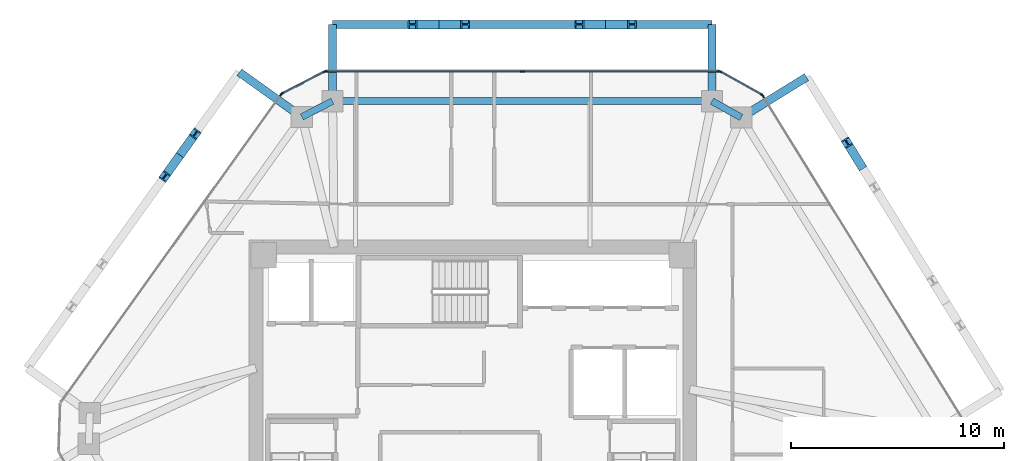
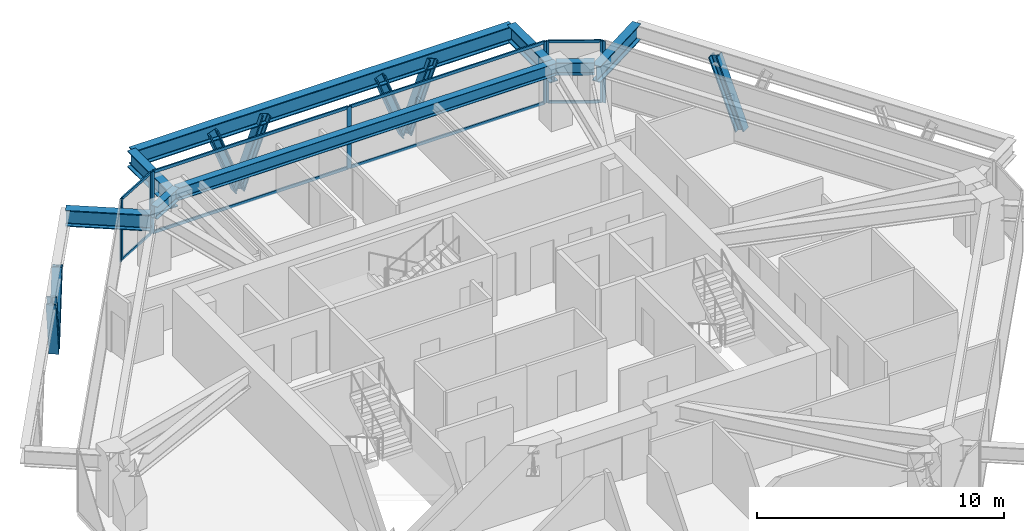
# One storey, part 6 of 11: 24 members, 8 beams, 5 elements without a shape of their own.
"""IFC4 building model written with IfcOpenShell, lengths in metres."""

from ifc_helpers import new_model, si_unit, direction, frame, origin, origin_2d, place, context, subcontext, project, spatial, rectangle, i_section, extrude, source, transform, mapped, material, layer, layer_set, material_profile, profile_set, type_object, type_shapes, element, aggregate, save


model = new_model("IFC4")

# Units and contexts
model_context = context("Model", 3, precision=1e-05, world=origin(), true_north=direction((0.0, 1.0)))
body_context = subcontext(model_context, "Body", "Model", "MODEL_VIEW")
ifc_project = project(units=[si_unit("LENGTHUNIT", "METRE"), si_unit("AREAUNIT", "SQUARE_METRE"), si_unit("VOLUMEUNIT", "CUBIC_METRE"), si_unit("PLANEANGLEUNIT", "RADIAN"), si_unit("MASSUNIT", "GRAM", prefix="KILO")], contexts=[model_context])

# Site, building, storey
site_placement = place(None, origin())
site = spatial("IfcSite", under=ifc_project, at=site_placement, CompositionType="ELEMENT")
building_placement = place(site_placement, origin())
building = spatial("IfcBuilding", under=site, at=building_placement, Name="Durnholm Broadcast Tower", CompositionType="ELEMENT")
storey_placement = place(building_placement, frame((0.0, 0.0, 183.699951171875)))
storey = spatial("IfcBuildingStorey", under=building, at=storey_placement, Name="L50", CompositionType="ELEMENT", Elevation=183.699951171875)

# Beams
ifc_material_1 = material(Name="Steel ASTM A992 Grade 50", Category="steel")
ifc_material_profile_1 = material_profile(ifc_material_1, i_section(OverallWidth=0.385009765625, OverallDepth=0.802978515625, WebThickness=0.023681640625, FlangeThickness=0.0419921875, FilletRadius=0.032958984375, at=origin_2d()), Name="W30X261")
ifc_profile_set_1 = profile_set([ifc_material_profile_1], Name="Steel ASTM A992 Grade 50")
beam_type_1 = type_object("IfcBeamType", Name="BM-EXO-TIE", PredefinedType="USERDEFINED", material=ifc_profile_set_1)
shared_shape_1 = source(origin(), body_context, "Body", "SweptSolid", [
    extrude(i_section(OverallWidth=0.385009765625, OverallDepth=0.802978515625, WebThickness=0.023681640625, FlangeThickness=0.0419921875, FilletRadius=0.032958984375, at=origin_2d()), origin(), (0.0, 0.0, 1.0), 3.4560546875),
])
for number, where, z_axis, x_axis, name in (
    (1, (12.713134765625, 14.327880859375, 2.30859375), (0.850662348375, 0.525712439512, 0.0), (-0.525712439512, 0.850662348375, 0.0), "L50 exoskeleton stand-off tie bracket F3.2"),
    (2, (-8.138916015625, 14.360107421875, 2.30859375), (-0.813079048773, 0.582153296346, 0.0), (-0.582153296346, -0.813079048773, 0.0), "L50 exoskeleton stand-off tie bracket F5.1"),
):
    element("IfcBeam", number, at=place(storey_placement, frame(where, z_axis=z_axis, x_axis=x_axis)), inside=storey, type_object=beam_type_1, Name=name, ObjectType="GIRDER", PredefinedType="USERDEFINED", context=body_context, shape_type="MappedRepresentation", body=[
        mapped(shared_shape_1, transform((0.0, 0.0, 0.0), x_axis=(1.0, 0.0, 0.0), y_axis=(0.0, 1.0, 0.0), z_axis=(0.0, 0.0, 1.0), scale=1.0)),
    ])
shared_shape_2 = source(origin(), body_context, "Body", "SweptSolid", [
    extrude(i_section(OverallWidth=0.385009765625, OverallDepth=0.802978515625, WebThickness=0.023681640625, FlangeThickness=0.0419921875, FilletRadius=0.032958984375, at=origin_2d()), origin(), (0.0, 0.0, 1.0), 3.455810546875),
])
for number, where, z_axis, x_axis, name in (
    (3, (11.217529296875, 15.162109375, 2.30859375), (0.0, 1.0, 0.0), (-1.0, 0.0, 0.0), "L50 exoskeleton stand-off tie bracket F4.1"),
    (4, (-6.57861328125, 15.162109375, 2.30859375), (0.0, 1.0, 0.0), (-1.0, 0.0, 0.0), "L50 exoskeleton stand-off tie bracket F4.2"),
):
    element("IfcBeam", number, at=place(storey_placement, frame(where, z_axis=z_axis, x_axis=x_axis)), inside=storey, type_object=beam_type_1, Name=name, ObjectType="GIRDER", PredefinedType="USERDEFINED", context=body_context, shape_type="MappedRepresentation", body=[
        mapped(shared_shape_2, transform((0.0, 0.0, 0.0), x_axis=(1.0, 0.0, 0.0), y_axis=(0.0, 1.0, 0.0), z_axis=(0.0, 0.0, 1.0), scale=1.0)),
    ])
ifc_material_profile_2 = material_profile(ifc_material_1, i_section(OverallWidth=0.3251953125, OverallDepth=0.6162109375, WebThickness=0.013916015625, FlangeThickness=0.021484375, FilletRadius=0.02783203125, at=origin_2d()), Name="W24X117")
ifc_profile_set_2 = profile_set([ifc_material_profile_2], Name="Steel ASTM A992 Grade 50")
beam_type_2 = type_object("IfcBeamType", Name="STL-SP-W24X117", PredefinedType="SPANDREL", material=ifc_profile_set_2)
shared_shape_3 = source(origin(), body_context, "Body", "SweptSolid", [
    extrude(i_section(OverallWidth=0.3251953125, OverallDepth=0.6162109375, WebThickness=0.013916015625, FlangeThickness=0.021484375, FilletRadius=0.02783203125, at=origin_2d()), origin(), (0.0, 0.0, 1.0), 1.62255859375),
])
beam_1_placement = place(storey_placement, frame((-8.021728515625, 14.2763671875, 2.737060546875), z_axis=(0.889406668864, 0.45711680934, 0.0), x_axis=(-0.45711680934, 0.889406668864, 0.0)))
element("IfcBeam", 5, at=beam_1_placement, inside=storey, type_object=beam_type_2, Name="L50 perimeter spandrel girder 04", PredefinedType="SPANDREL", context=body_context, shape_type="MappedRepresentation", body=[
    mapped(shared_shape_3, transform((0.0, 0.0, 0.0), x_axis=(1.0, 0.0, 0.0), y_axis=(0.0, 1.0, 0.0), z_axis=(0.0, 0.0, 1.0), scale=1.0)),
])
shared_shape_4 = source(origin(), body_context, "Body", "SweptSolid", [
    extrude(i_section(OverallWidth=0.3251953125, OverallDepth=0.6162109375, WebThickness=0.013916015625, FlangeThickness=0.021484375, FilletRadius=0.02783203125, at=origin_2d()), origin(), (0.0, 0.0, 1.0), 17.796142578125),
])
beam_2_placement = place(storey_placement, frame((-6.57861328125, 15.01806640625, 2.737060546875), z_axis=(1.0, 0.0, 0.0), x_axis=(0.0, 1.0, 0.0)))
element("IfcBeam", 6, at=beam_2_placement, inside=storey, type_object=beam_type_2, Name="L50 perimeter spandrel girder 05", PredefinedType="SPANDREL", context=body_context, shape_type="MappedRepresentation", body=[
    mapped(shared_shape_4, transform((0.0, 0.0, 0.0), x_axis=(1.0, 0.0, 0.0), y_axis=(0.0, 1.0, 0.0), z_axis=(0.0, 0.0, 1.0), scale=1.0)),
])
shared_shape_5 = source(origin(), body_context, "Body", "SweptSolid", [
    extrude(i_section(OverallWidth=0.3251953125, OverallDepth=0.6162109375, WebThickness=0.013916015625, FlangeThickness=0.021484375, FilletRadius=0.02783203125, at=origin_2d()), origin(), (0.0, 0.0, 1.0), 1.572509765625),
])
type_shapes(beam_type_2, [shared_shape_3, shared_shape_4, shared_shape_5])
beam_3_placement = place(storey_placement, frame((11.217529296875, 15.01806640625, 2.737060546875), z_axis=(0.873365144476, -0.487066037017, 0.0), x_axis=(0.487066037017, 0.873365144476, 0.0)))
element("IfcBeam", 7, at=beam_3_placement, inside=storey, type_object=beam_type_2, Name="L50 perimeter spandrel girder 06", PredefinedType="SPANDREL", context=body_context, shape_type="MappedRepresentation", body=[
    mapped(shared_shape_5, transform((0.0, 0.0, 0.0), x_axis=(1.0, 0.0, 0.0), y_axis=(0.0, 1.0, 0.0), z_axis=(0.0, 0.0, 1.0), scale=1.0)),
])
shared_shape_6 = source(origin(), body_context, "Body", "SweptSolid", [
    extrude(i_section(OverallWidth=0.385009765625, OverallDepth=0.802978515625, WebThickness=0.023681640625, FlangeThickness=0.0419921875, FilletRadius=0.032958984375, at=origin_2d()), origin(), (0.0, 0.0, 1.0), 17.796142578125),
])
type_shapes(beam_type_1, [shared_shape_1, shared_shape_2, shared_shape_6])
beam_4_placement = place(storey_placement, frame((11.217529296875, 18.617919921875, 2.30859375), z_axis=(-1.0, 0.0, 0.0), x_axis=(0.0, -1.0, 0.0)))
element("IfcBeam", 8, at=beam_4_placement, inside=storey, type_object=beam_type_1, Name="L50 exoskeleton collector spandrel F4", PredefinedType="SPANDREL", context=body_context, shape_type="MappedRepresentation", body=[
    mapped(shared_shape_6, transform((0.0, 0.0, 0.0), x_axis=(1.0, 0.0, 0.0), y_axis=(0.0, 1.0, 0.0), z_axis=(0.0, 0.0, 1.0), scale=1.0)),
])

# Members
ifc_material_2 = material(Name="Steel ASTM A913 Grade 65", Category="steel")
ifc_material_profile_3 = material_profile(ifc_material_2, i_section(OverallWidth=0.412109375, OverallDepth=0.434814453125, WebThickness=0.035888671875, FlangeThickness=0.057373046875, FilletRadius=0.030517578125, at=origin_2d()), Name="W14X311")
ifc_profile_set_3 = profile_set([ifc_material_profile_3], Name="Steel ASTM A913 Grade 65")
member_type_1 = type_object("IfcMemberType", Name="STL-DG-W14X311", PredefinedType="BRACE", material=ifc_profile_set_3)
shared_shape_7 = source(origin(), body_context, "Body", "SweptSolid", [
    extrude(i_section(OverallWidth=0.412109375, OverallDepth=0.434814453125, WebThickness=0.035888671875, FlangeThickness=0.057373046875, FilletRadius=0.030517578125, at=origin_2d()), origin(), (0.0, 0.0, 1.0), 3.523193359375),
])
type_shapes(member_type_1, [shared_shape_7])
for number, where, z_axis, x_axis, name in (
    (9, (18.2001953125, 12.023193359375, -0.991455078125), (-0.184115236318, 0.297965945114, 0.936652483746), (-0.850699125742, -0.525652924906, 0.0), "L50 stand-off diagrid brace F3.D2.2"),
    (10, (6.234619140625, 18.617919921875, -0.991455078125), (0.350219588454, 0.0, 0.936667625075), (0.0, 1.0, 0.0), "L50 stand-off diagrid brace F4.D1.1"),
    (11, (6.234619140625, 18.617919921875, -0.991455078125), (-0.350219588454, 0.0, 0.936667625075), (0.0, -1.0, 0.0), "L50 stand-off diagrid brace F4.D1.2"),
    (12, (-1.595703125, 18.617919921875, -0.991455078125), (0.350219588454, 0.0, 0.936667625075), (0.0, 1.0, 0.0), "L50 stand-off diagrid brace F4.D2.1"),
    (13, (-1.595703125, 18.617919921875, -0.991455078125), (-0.350219588454, 0.0, 0.936667625075), (0.0, -1.0, 0.0), "L50 stand-off diagrid brace F4.D2.2"),
    (14, (-13.731689453125, 12.485595703125, -0.991455078125), (0.203869234398, 0.284737826017, 0.936675880815), (-0.813077820009, 0.582155012526, 0.0), "L50 stand-off diagrid brace F5.D1.1"),
    (15, (-13.731689453125, 12.485595703125, -0.991455078125), (-0.203869234398, -0.284737826017, 0.936675880815), (0.813077820009, -0.582155012526, 0.0), "L50 stand-off diagrid brace F5.D1.2"),
):
    element("IfcMember", number, at=place(storey_placement, frame(where, z_axis=z_axis, x_axis=x_axis)), inside=storey, type_object=member_type_1, Name=name, PredefinedType="BRACE", context=body_context, shape_type="MappedRepresentation", body=[
        mapped(shared_shape_7, transform((0.0, 0.0, 0.0), x_axis=(1.0, 0.0, 0.0), y_axis=(0.0, 1.0, 0.0), z_axis=(0.0, 0.0, 1.0), scale=1.0)),
    ])

# Curtain wall, members
ifc_material_3 = material(Name="Aluminium and Solar Control IGU", Category="aluminium")
ifc_layer_1 = layer(ifc_material_3, 0.1650390625)
ifc_layer_set_1 = layer_set([ifc_layer_1], Name="Aluminium and Solar Control IGU")
curtain_wall_type_1 = type_object("IfcCurtainWallType", Name="CW-SYS-5", PredefinedType="NOTDEFINED", material=ifc_layer_set_1)
curtain_wall_1_placement = place(storey_placement, origin())
curtain_wall_1 = element("IfcCurtainWall", 16, at=curtain_wall_1_placement, inside=storey, type_object=curtain_wall_type_1, Name="L50 curtain wall CW-CORNER CW-L50-CRN-03", PredefinedType="NOTDEFINED")
ifc_material_4 = material(Name="Aluminium 6063-T6", Category="aluminium")
ifc_material_profile_4 = material_profile(ifc_material_4, rectangle(XDim=0.06494140625, YDim=0.1650390625, at=origin_2d()), Name="CWM65X165")
ifc_profile_set_4 = profile_set([ifc_material_profile_4], Name="Aluminium 6063-T6")
member_type_2 = type_object("IfcMemberType", Name="CW-SYS-5-MUL", PredefinedType="MULLION", material=ifc_profile_set_4)
shared_shape_8 = source(origin(), body_context, "Body", "SweptSolid", [
    extrude(rectangle(XDim=0.06494140625, YDim=0.1650390625, at=origin_2d()), origin(), (0.0, 0.0, 1.0), 3.06005859375),
])
type_shapes(member_type_2, [shared_shape_8])
member_1_placement = place(storey_placement, frame((-8.93408203125, 15.381591796875, 0.0), z_axis=(0.0, 0.0, 1.0), x_axis=(-0.457081764476, 0.889424679545, 0.0)))
member_1 = element("IfcMember", 17, at=member_1_placement, type_object=member_type_2, Name="CW-CORNER mullion 1", PredefinedType="MULLION", context=body_context, shape_type="MappedRepresentation", body=[
    mapped(shared_shape_8, transform((0.0, 0.0, 0.0), x_axis=(1.0, 0.0, 0.0), y_axis=(0.0, 1.0, 0.0), z_axis=(0.0, 0.0, 1.0), scale=1.0)),
])
member_2_placement = place(storey_placement, frame((-6.9462890625, 16.403076171875, 0.0), z_axis=(0.0, 0.0, 1.0), x_axis=(-0.457081764476, 0.889424679545, 0.0)))
member_2 = element("IfcMember", 18, at=member_2_placement, type_object=member_type_2, Name="CW-CORNER mullion 2", PredefinedType="MULLION", context=body_context, shape_type="MappedRepresentation", body=[
    mapped(shared_shape_8, transform((0.0, 0.0, 0.0), x_axis=(1.0, 0.0, 0.0), y_axis=(0.0, 1.0, 0.0), z_axis=(0.0, 0.0, 1.0), scale=1.0)),
])

curtain_wall_2_placement = place(storey_placement, origin())
curtain_wall_2 = element("IfcCurtainWall", 19, at=curtain_wall_2_placement, inside=storey, type_object=curtain_wall_type_1, Name="L50 curtain wall CW-CORNER CW-L50-CRN-05", PredefinedType="NOTDEFINED")
member_3_placement = place(storey_placement, frame((11.60986328125, 16.402099609375, 0.0), z_axis=(0.0, 0.0, 1.0), x_axis=(0.486986043316, 0.873409751271, 0.0)))
member_3 = element("IfcMember", 20, at=member_3_placement, type_object=member_type_2, Name="CW-CORNER mullion 1", PredefinedType="MULLION", context=body_context, shape_type="MappedRepresentation", body=[
    mapped(shared_shape_8, transform((0.0, 0.0, 0.0), x_axis=(1.0, 0.0, 0.0), y_axis=(0.0, 1.0, 0.0), z_axis=(0.0, 0.0, 1.0), scale=1.0)),
])
member_4_placement = place(storey_placement, frame((13.56201171875, 15.313720703125, 0.0), z_axis=(0.0, 0.0, 1.0), x_axis=(0.486986043316, 0.873409751271, 0.0)))
member_4 = element("IfcMember", 21, at=member_4_placement, type_object=member_type_2, Name="CW-CORNER mullion 2", PredefinedType="MULLION", context=body_context, shape_type="MappedRepresentation", body=[
    mapped(shared_shape_8, transform((0.0, 0.0, 0.0), x_axis=(1.0, 0.0, 0.0), y_axis=(0.0, 1.0, 0.0), z_axis=(0.0, 0.0, 1.0), scale=1.0)),
])

# Member
ifc_material_profile_5 = material_profile(ifc_material_4, rectangle(XDim=0.06494140625, YDim=0.1298828125, at=origin_2d()), Name="CWT65X130")
ifc_profile_set_5 = profile_set([ifc_material_profile_5], Name="Aluminium 6063-T6")
member_type_3 = type_object("IfcMemberType", Name="CW-SYS-5-TRN", PredefinedType="USERDEFINED", material=ifc_profile_set_5)
shared_shape_9 = source(origin(), body_context, "Body", "SweptSolid", [
    extrude(rectangle(XDim=0.06494140625, YDim=0.1298828125, at=origin_2d()), origin(), (0.0, 0.0, 1.0), 2.169921875),
])
type_shapes(member_type_3, [shared_shape_9])
member_5_placement = place(storey_placement, frame((-8.9052734375, 15.396484375, 0.032470703125), z_axis=(0.889468148591, 0.456997169185, 0.0), x_axis=(-0.456997169185, 0.889468148591, 0.0)))
member_5 = element("IfcMember", 22, at=member_5_placement, type_object=member_type_3, Name="CW-CORNER transom 1.1", ObjectType="TRANSOM", PredefinedType="USERDEFINED", context=body_context, shape_type="MappedRepresentation", body=[
    mapped(shared_shape_9, transform((0.0, 0.0, 0.0), x_axis=(1.0, 0.0, 0.0), y_axis=(0.0, 1.0, 0.0), z_axis=(0.0, 0.0, 1.0), scale=1.0)),
])

member_6_placement = place(storey_placement, frame((-8.9052734375, 15.396484375, 3.027587890625), z_axis=(0.889468148591, 0.456997169185, 0.0), x_axis=(-0.456997169185, 0.889468148591, 0.0)))
member_6 = element("IfcMember", 23, at=member_6_placement, type_object=member_type_3, Name="CW-CORNER transom 1.2", ObjectType="TRANSOM", PredefinedType="USERDEFINED", context=body_context, shape_type="MappedRepresentation", body=[
    mapped(shared_shape_9, transform((0.0, 0.0, 0.0), x_axis=(1.0, 0.0, 0.0), y_axis=(0.0, 1.0, 0.0), z_axis=(0.0, 0.0, 1.0), scale=1.0)),
])

aggregate(curtain_wall_1, [member_1, member_2, member_5, member_6])

member_7_placement = place(storey_placement, frame((11.63818359375, 16.38623046875, 0.032470703125), z_axis=(0.873429215361, -0.48695113282, 0.0), x_axis=(0.48695113282, 0.873429215361, 0.0)))
member_7 = element("IfcMember", 24, at=member_7_placement, type_object=member_type_3, Name="CW-CORNER transom 1.1", ObjectType="TRANSOM", PredefinedType="USERDEFINED", context=body_context, shape_type="MappedRepresentation", body=[
    mapped(shared_shape_9, transform((0.0, 0.0, 0.0), x_axis=(1.0, 0.0, 0.0), y_axis=(0.0, 1.0, 0.0), z_axis=(0.0, 0.0, 1.0), scale=1.0)),
])

member_8_placement = place(storey_placement, frame((11.63818359375, 16.38623046875, 3.027587890625), z_axis=(0.873429215361, -0.48695113282, 0.0), x_axis=(0.48695113282, 0.873429215361, 0.0)))
member_8 = element("IfcMember", 25, at=member_8_placement, type_object=member_type_3, Name="CW-CORNER transom 1.2", ObjectType="TRANSOM", PredefinedType="USERDEFINED", context=body_context, shape_type="MappedRepresentation", body=[
    mapped(shared_shape_9, transform((0.0, 0.0, 0.0), x_axis=(1.0, 0.0, 0.0), y_axis=(0.0, 1.0, 0.0), z_axis=(0.0, 0.0, 1.0), scale=1.0)),
])

aggregate(curtain_wall_2, [member_3, member_4, member_7, member_8])

# Curtain wall, members
ifc_layer_2 = layer(ifc_material_3, 0.18994140625)
ifc_layer_set_2 = layer_set([ifc_layer_2], Name="Aluminium and Solar Control IGU")
curtain_wall_type_2 = type_object("IfcCurtainWallType", Name="CW-SYS-4", PredefinedType="NOTDEFINED", material=ifc_layer_set_2)
curtain_wall_3_placement = place(storey_placement, origin())
curtain_wall_3 = element("IfcCurtainWall", 26, at=curtain_wall_3_placement, inside=storey, type_object=curtain_wall_type_2, Name="L50 curtain wall CW-Z34-VIS CW-L50-F04", PredefinedType="NOTDEFINED")
ifc_material_profile_6 = material_profile(ifc_material_4, rectangle(XDim=0.070068359375, YDim=0.14990234375, at=origin_2d()), Name="CWT70X150")
ifc_profile_set_6 = profile_set([ifc_material_profile_6], Name="Aluminium 6063-T6")
member_type_4 = type_object("IfcMemberType", Name="CW-SYS-4-TRN", PredefinedType="USERDEFINED", material=ifc_profile_set_6)
shared_shape_10 = source(origin(), body_context, "Body", "SweptSolid", [
    extrude(rectangle(XDim=0.070068359375, YDim=0.14990234375, at=origin_2d()), origin(), (0.0, 0.0, 1.0), 9.14453125),
])
type_shapes(member_type_4, [shared_shape_10])
member_9_placement = place(storey_placement, frame((-6.847412109375, 16.41796875, 0.03515625), z_axis=(1.0, 0.0, 0.0), x_axis=(0.0, 1.0, 0.0)))
member_9 = element("IfcMember", 27, at=member_9_placement, type_object=member_type_4, Name="CW-Z34-VIS transom 1.1", ObjectType="TRANSOM", PredefinedType="USERDEFINED", context=body_context, shape_type="MappedRepresentation", body=[
    mapped(shared_shape_10, transform((0.0, 0.0, 0.0), x_axis=(1.0, 0.0, 0.0), y_axis=(0.0, 1.0, 0.0), z_axis=(0.0, 0.0, 1.0), scale=1.0)),
])
member_10_placement = place(storey_placement, frame((-6.847412109375, 16.41796875, 3.025146484375), z_axis=(1.0, 0.0, 0.0), x_axis=(0.0, 1.0, 0.0)))
member_10 = element("IfcMember", 28, at=member_10_placement, type_object=member_type_4, Name="CW-Z34-VIS transom 1.2", ObjectType="TRANSOM", PredefinedType="USERDEFINED", context=body_context, shape_type="MappedRepresentation", body=[
    mapped(shared_shape_10, transform((0.0, 0.0, 0.0), x_axis=(1.0, 0.0, 0.0), y_axis=(0.0, 1.0, 0.0), z_axis=(0.0, 0.0, 1.0), scale=1.0)),
])
member_11_placement = place(storey_placement, frame((2.366943359375, 16.41796875, 0.03515625), z_axis=(1.0, 0.0, 0.0), x_axis=(0.0, 1.0, 0.0)))
member_11 = element("IfcMember", 29, at=member_11_placement, type_object=member_type_4, Name="CW-Z34-VIS transom 2.1", ObjectType="TRANSOM", PredefinedType="USERDEFINED", context=body_context, shape_type="MappedRepresentation", body=[
    mapped(shared_shape_10, transform((0.0, 0.0, 0.0), x_axis=(1.0, 0.0, 0.0), y_axis=(0.0, 1.0, 0.0), z_axis=(0.0, 0.0, 1.0), scale=1.0)),
])
member_12_placement = place(storey_placement, frame((2.366943359375, 16.41796875, 3.025146484375), z_axis=(1.0, 0.0, 0.0), x_axis=(0.0, 1.0, 0.0)))
member_12 = element("IfcMember", 30, at=member_12_placement, type_object=member_type_4, Name="CW-Z34-VIS transom 2.2", ObjectType="TRANSOM", PredefinedType="USERDEFINED", context=body_context, shape_type="MappedRepresentation", body=[
    mapped(shared_shape_10, transform((0.0, 0.0, 0.0), x_axis=(1.0, 0.0, 0.0), y_axis=(0.0, 1.0, 0.0), z_axis=(0.0, 0.0, 1.0), scale=1.0)),
])

# Curtain wall, member
curtain_wall_4_placement = place(storey_placement, origin())
curtain_wall_4 = element("IfcCurtainWall", 31, at=curtain_wall_4_placement, inside=storey, type_object=curtain_wall_type_2, Name="L50 curtain wall CW-Z34-VIS CW-L50-F02", PredefinedType="NOTDEFINED")
ifc_material_profile_7 = material_profile(ifc_material_4, rectangle(XDim=0.070068359375, YDim=0.18994140625, at=origin_2d()), Name="CWM70X190")
ifc_profile_set_7 = profile_set([ifc_material_profile_7], Name="Aluminium 6063-T6")
member_type_5 = type_object("IfcMemberType", Name="CW-SYS-4-MUL", PredefinedType="MULLION", material=ifc_profile_set_7)
shared_shape_11 = source(origin(), body_context, "Body", "SweptSolid", [
    extrude(rectangle(XDim=0.070068359375, YDim=0.18994140625, at=origin_2d()), origin(), (0.0, 0.0, 1.0), 3.06005859375),
])
type_shapes(member_type_5, [shared_shape_11])
member_13_placement = place(storey_placement, frame((-8.9833984375, 15.338134765625, 0.0), z_axis=(0.0, 0.0, 1.0), x_axis=(-0.813089262696, 0.582139030549, 0.0)))
member_13 = element("IfcMember", 32, at=member_13_placement, type_object=member_type_5, Name="CW-Z34-VIS mullion 2", PredefinedType="MULLION", context=body_context, shape_type="MappedRepresentation", body=[
    mapped(shared_shape_11, transform((0.0, 0.0, 0.0), x_axis=(1.0, 0.0, 0.0), y_axis=(0.0, 1.0, 0.0), z_axis=(0.0, 0.0, 1.0), scale=1.0)),
])
aggregate(curtain_wall_4, [member_13])

# Member
member_14_placement = place(storey_placement, frame((-6.88232421875, 16.41796875, 0.0), z_axis=(0.0, 0.0, 1.0), x_axis=(0.0, 1.0, 0.0)))
member_14 = element("IfcMember", 33, at=member_14_placement, type_object=member_type_5, Name="CW-Z34-VIS mullion 1", PredefinedType="MULLION", context=body_context, shape_type="MappedRepresentation", body=[
    mapped(shared_shape_11, transform((0.0, 0.0, 0.0), x_axis=(1.0, 0.0, 0.0), y_axis=(0.0, 1.0, 0.0), z_axis=(0.0, 0.0, 1.0), scale=1.0)),
])

member_15_placement = place(storey_placement, frame((2.33203125, 16.41796875, 0.0), z_axis=(0.0, 0.0, 1.0), x_axis=(0.0, 1.0, 0.0)))
member_15 = element("IfcMember", 34, at=member_15_placement, type_object=member_type_5, Name="CW-Z34-VIS mullion 2", PredefinedType="MULLION", context=body_context, shape_type="MappedRepresentation", body=[
    mapped(shared_shape_11, transform((0.0, 0.0, 0.0), x_axis=(1.0, 0.0, 0.0), y_axis=(0.0, 1.0, 0.0), z_axis=(0.0, 0.0, 1.0), scale=1.0)),
])

member_16_placement = place(storey_placement, frame((11.54638671875, 16.41796875, 0.0), z_axis=(0.0, 0.0, 1.0), x_axis=(0.0, 1.0, 0.0)))
member_16 = element("IfcMember", 35, at=member_16_placement, type_object=member_type_5, Name="CW-Z34-VIS mullion 3", PredefinedType="MULLION", context=body_context, shape_type="MappedRepresentation", body=[
    mapped(shared_shape_11, transform((0.0, 0.0, 0.0), x_axis=(1.0, 0.0, 0.0), y_axis=(0.0, 1.0, 0.0), z_axis=(0.0, 0.0, 1.0), scale=1.0)),
])

aggregate(curtain_wall_3, [member_14, member_15, member_16, member_9, member_10, member_11, member_12])

# Curtain wall, member
curtain_wall_5_placement = place(storey_placement, origin())
curtain_wall_5 = element("IfcCurtainWall", 36, at=curtain_wall_5_placement, inside=storey, type_object=curtain_wall_type_2, Name="L50 curtain wall CW-Z34-VIS CW-L50-F06", PredefinedType="NOTDEFINED")
member_17_placement = place(storey_placement, frame((13.608642578125, 15.26806640625, 0.0), z_axis=(0.0, 0.0, 1.0), x_axis=(0.850671426092, 0.525697750452, 0.0)))
member_17 = element("IfcMember", 37, at=member_17_placement, type_object=member_type_5, Name="CW-Z34-VIS mullion 1", PredefinedType="MULLION", context=body_context, shape_type="MappedRepresentation", body=[
    mapped(shared_shape_11, transform((0.0, 0.0, 0.0), x_axis=(1.0, 0.0, 0.0), y_axis=(0.0, 1.0, 0.0), z_axis=(0.0, 0.0, 1.0), scale=1.0)),
])
aggregate(curtain_wall_5, [member_17])

save(model, "model.ifc")
